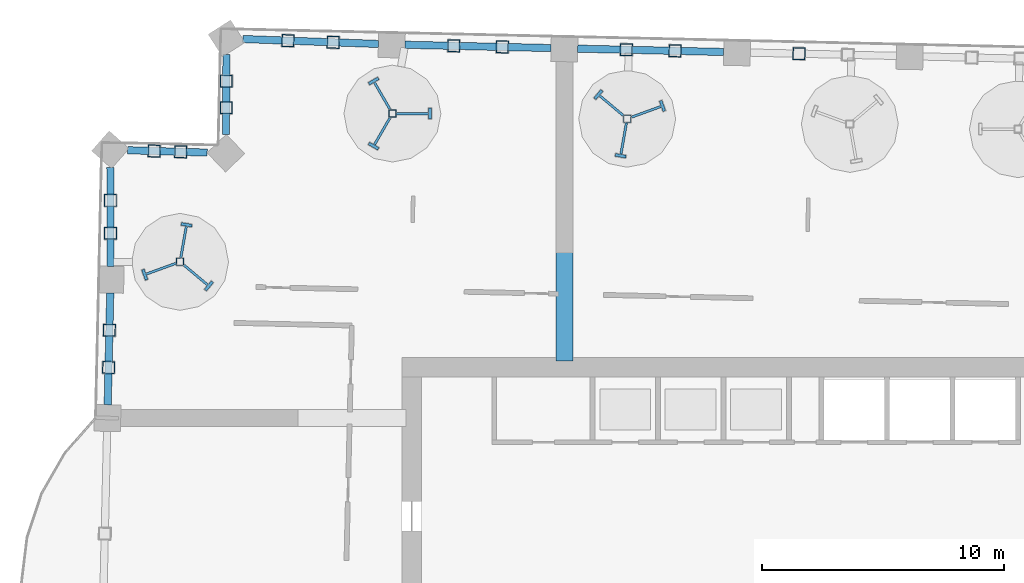
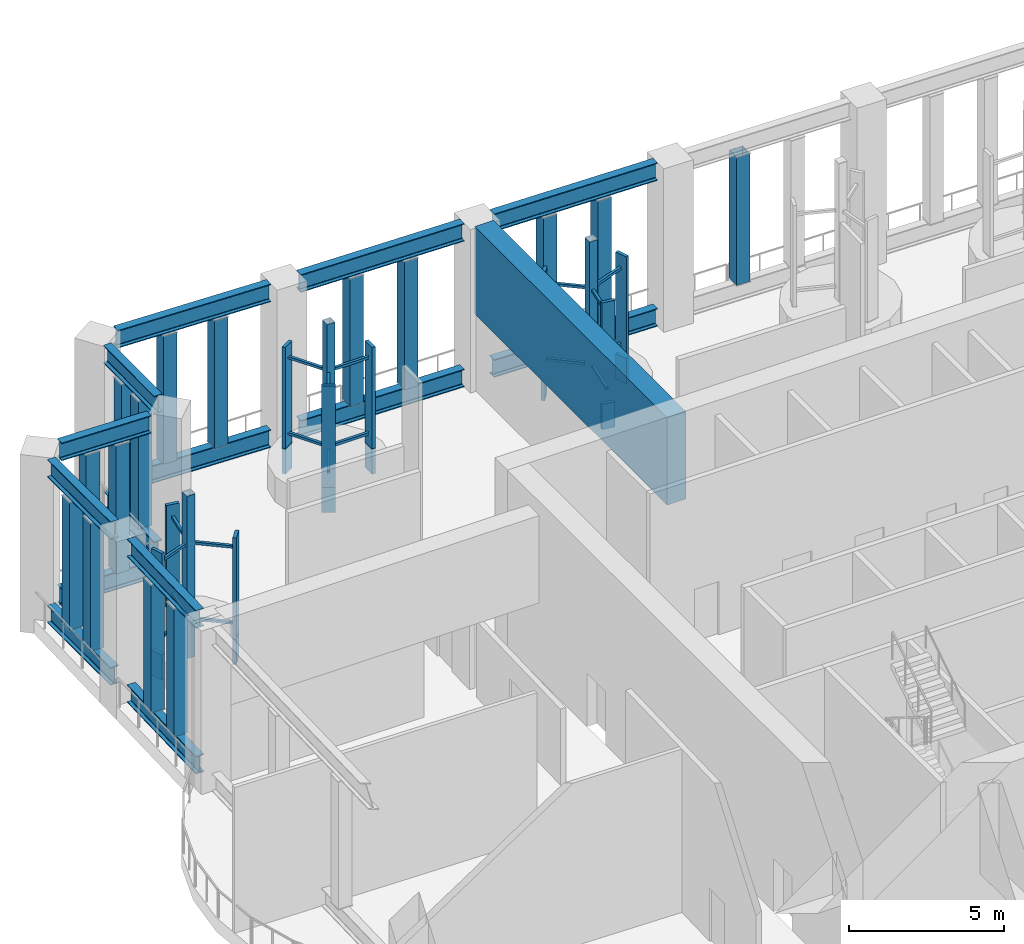
# One storey, part 5 of 33: 68 members, 1 beam.
"""IFC4 building model written with IfcOpenShell, lengths in metres."""

from ifc_helpers import new_model, si_unit, direction, frame, origin, origin_2d, place, context, subcontext, project, spatial, rectangle, hollow_rectangle, i_section, extrude, material, material_profile, profile_set, type_object, element, save


model = new_model("IFC4")

# Units and contexts
model_context = context("Model", 3, precision=1e-05, world=origin(), true_north=direction((0.0, 1.0)))
body_context = subcontext(model_context, "Body", "Model", "MODEL_VIEW")
ifc_project = project(units=[si_unit("LENGTHUNIT", "METRE"), si_unit("AREAUNIT", "SQUARE_METRE"), si_unit("VOLUMEUNIT", "CUBIC_METRE"), si_unit("PLANEANGLEUNIT", "RADIAN"), si_unit("MASSUNIT", "GRAM", prefix="KILO")], contexts=[model_context])

# Site, building, storey
site_placement = place(None, origin())
site = spatial("IfcSite", under=ifc_project, at=site_placement, CompositionType="ELEMENT")
building_placement = place(site_placement, origin())
building = spatial("IfcBuilding", under=site, at=building_placement, Name="Mangrove Gate Tower", CompositionType="ELEMENT")
storey_placement = place(building_placement, frame((0.0, 0.0, 219.5)))
storey = spatial("IfcBuildingStorey", under=building, at=storey_placement, Name="L56", CompositionType="ELEMENT", Elevation=219.5)

# Members
ifc_material_1 = material(Name="Steel S355J2", Category="steel")
ifc_material_profile_1 = material_profile(ifc_material_1, i_section(OverallWidth=0.300048828125, OverallDepth=0.699951171875, WebThickness=0.01708984375, FlangeThickness=0.031982421875, FilletRadius=0.027099609375, at=origin_2d()))
ifc_profile_set_1 = profile_set([ifc_material_profile_1], Name="Steel S355J2")
member_type_1 = type_object("IfcMemberType", Name="Belt truss chord HE 700 B", PredefinedType="CHORD", material=ifc_profile_set_1)
for number, where, z_axis, x_axis, name in (
    (1, (-1.33837890625, 24.19970703125, 0.35009765625), (-0.999741479717, 0.022737056396, 0.0), (-0.022737056396, -0.999741479717, 0.0), "Belt truss bottom chord L56 22"),
    (2, (-1.33837890625, 24.19970703125, 6.10009765625), (-0.999741479717, 0.022737056396, 0.0), (-0.022737056396, -0.999741479717, 0.0), "Belt truss top chord L56 22"),
    (3, (-8.46044921875, 24.361572265625, 0.35009765625), (-0.999744236189, 0.022615530214, 0.0), (-0.022615530214, -0.999744236189, 0.0), "Belt truss bottom chord L56 23"),
    (4, (-8.46044921875, 24.361572265625, 6.10009765625), (-0.999744236189, 0.022615530214, 0.0), (-0.022615530214, -0.999744236189, 0.0), "Belt truss top chord L56 23"),
):
    element("IfcMember", number, at=place(storey_placement, frame(where, z_axis=z_axis, x_axis=x_axis)), inside=storey, type_object=member_type_1, Name=name, PredefinedType="CHORD", context=body_context, shape_type="SweptSolid", body=[
        extrude(i_section(OverallWidth=0.300048828125, OverallDepth=0.699951171875, WebThickness=0.01708984375, FlangeThickness=0.031982421875, FilletRadius=0.027099609375, at=origin_2d()), origin(), (0.0, 0.0, 1.0), 6.023681640625),
    ])
for number, where, z_axis, x_axis, name in (
    (5, (-15.582275390625, 24.5302734375, 0.35009765625), (-0.999333407376, 0.036506724074, 0.0), (-0.036506724074, -0.999333407376, 0.0), "Belt truss bottom chord L56 24"),
    (6, (-15.582275390625, 24.5302734375, 6.10009765625), (-0.999333407376, 0.036506724074, 0.0), (-0.036506724074, -0.999333407376, 0.0), "Belt truss top chord L56 24"),
):
    element("IfcMember", number, at=place(storey_placement, frame(where, z_axis=z_axis, x_axis=x_axis)), inside=storey, type_object=member_type_1, Name=name, PredefinedType="CHORD", context=body_context, shape_type="SweptSolid", body=[
        extrude(i_section(OverallWidth=0.300048828125, OverallDepth=0.699951171875, WebThickness=0.01708984375, FlangeThickness=0.031982421875, FilletRadius=0.027099609375, at=origin_2d()), origin(), (0.0, 0.0, 1.0), 5.597412109375),
    ])
for number, where, z_axis, x_axis, name in (
    (7, (-21.8486328125, 24.103271484375, 0.35009765625), (-0.005526405917, -0.999984729302, 0.0), (0.999984729302, -0.005526405917, 0.0), "Belt truss bottom chord L56 25"),
    (8, (-21.8486328125, 24.103271484375, 6.10009765625), (-0.005526405917, -0.999984729302, 0.0), (0.999984729302, -0.005526405917, 0.0), "Belt truss top chord L56 25"),
):
    element("IfcMember", number, at=place(storey_placement, frame(where, z_axis=z_axis, x_axis=x_axis)), inside=storey, type_object=member_type_1, Name=name, PredefinedType="CHORD", context=body_context, shape_type="SweptSolid", body=[
        extrude(i_section(OverallWidth=0.300048828125, OverallDepth=0.699951171875, WebThickness=0.01708984375, FlangeThickness=0.031982421875, FilletRadius=0.027099609375, at=origin_2d()), origin(), (0.0, 0.0, 1.0), 3.313232421875),
    ])
for number, where, z_axis, x_axis, name in (
    (9, (-22.642822265625, 20.048583984375, 0.35009765625), (-0.999548316967, 0.030052654614, 0.0), (-0.030052654614, -0.999548316967, 0.0), "Belt truss bottom chord L56 26"),
    (10, (-22.642822265625, 20.048583984375, 6.10009765625), (-0.999548316967, 0.030052654614, 0.0), (-0.030052654614, -0.999548316967, 0.0), "Belt truss top chord L56 26"),
):
    element("IfcMember", number, at=place(storey_placement, frame(where, z_axis=z_axis, x_axis=x_axis)), inside=storey, type_object=member_type_1, Name=name, PredefinedType="CHORD", context=body_context, shape_type="SweptSolid", body=[
        extrude(i_section(OverallWidth=0.300048828125, OverallDepth=0.699951171875, WebThickness=0.01708984375, FlangeThickness=0.031982421875, FilletRadius=0.027099609375, at=origin_2d()), origin(), (0.0, 0.0, 1.0), 3.281982421875),
    ])
for number, where, z_axis, x_axis, name in (
    (11, (-26.63623046875, 19.435302734375, 0.35009765625), (0.001317521913, -0.999999132068, 0.0), (0.999999132068, 0.001317521913, 0.0), "Belt truss bottom chord L56 27"),
    (12, (-26.63623046875, 19.435302734375, 6.10009765625), (0.001317521913, -0.999999132068, 0.0), (0.999999132068, 0.001317521913, 0.0), "Belt truss top chord L56 27"),
):
    element("IfcMember", number, at=place(storey_placement, frame(where, z_axis=z_axis, x_axis=x_axis)), inside=storey, type_object=member_type_1, Name=name, PredefinedType="CHORD", context=body_context, shape_type="SweptSolid", body=[
        extrude(i_section(OverallWidth=0.300048828125, OverallDepth=0.699951171875, WebThickness=0.01708984375, FlangeThickness=0.031982421875, FilletRadius=0.027099609375, at=origin_2d()), origin(), (0.0, 0.0, 1.0), 4.07666015625),
    ])
for number, where, z_axis, x_axis, name in (
    (13, (-26.642578125, 14.2587890625, 0.35009765625), (-0.022605956435, -0.999744452715, 0.0), (0.999744452715, -0.022605956435, 0.0), "Belt truss bottom chord L56 28"),
    (14, (-26.642578125, 14.2587890625, 6.10009765625), (-0.022605956435, -0.999744452715, 0.0), (0.999744452715, -0.022605956435, 0.0), "Belt truss top chord L56 28"),
):
    element("IfcMember", number, at=place(storey_placement, frame(where, z_axis=z_axis, x_axis=x_axis)), inside=storey, type_object=member_type_1, Name=name, PredefinedType="CHORD", context=body_context, shape_type="SweptSolid", body=[
        extrude(i_section(OverallWidth=0.300048828125, OverallDepth=0.699951171875, WebThickness=0.01708984375, FlangeThickness=0.031982421875, FilletRadius=0.027099609375, at=origin_2d()), origin(), (0.0, 0.0, 1.0), 4.611572265625),
    ])
ifc_material_2 = material(Name="Steel S355J2H", Category="steel")
ifc_material_profile_2 = material_profile(ifc_material_2, hollow_rectangle(XDim=0.5, YDim=0.5, WallThickness=0.02001953125, at=origin_2d()))
ifc_profile_set_2 = profile_set([ifc_material_profile_2], Name="Steel S355J2H")
member_type_2 = type_object("IfcMemberType", Name="Belt truss post SHS 500x500x20", PredefinedType="POST", material=ifc_profile_set_2)
for number, where, z_axis, x_axis, name in (
    (15, (1.768798828125, 24.12939453125, 0.699951171875), (0.0, 0.0, 1.0), (-0.999744582204, 0.022600229076, 0.0), "Belt truss post L56 21-2"),
    (16, (-3.345703125, 24.245361328125, 0.699951171875), (0.0, 0.0, 1.0), (-0.999741400599, 0.022740534932, 0.0), "Belt truss post L56 22-1"),
    (17, (-5.353271484375, 24.291015625, 0.699951171875), (0.0, 0.0, 1.0), (-0.999741400599, 0.022740534932, 0.0), "Belt truss post L56 22-2"),
    (18, (-10.4677734375, 24.406982421875, 0.699951171875), (0.0, 0.0, 1.0), (-0.999744582204, 0.022600229076, 0.0), "Belt truss post L56 23-1"),
    (19, (-12.47509765625, 24.452392578125, 0.699951171875), (0.0, 0.0, 1.0), (-0.999744582204, 0.022600229076, 0.0), "Belt truss post L56 23-2"),
    (20, (-17.44677734375, 24.598388671875, 0.699951171875), (0.0, 0.0, 1.0), (-0.999333390876, 0.036507175749, 0.0), "Belt truss post L56 24-1"),
    (21, (-19.3115234375, 24.66650390625, 0.699951171875), (0.0, 0.0, 1.0), (-0.999333390876, 0.036507175749, 0.0), "Belt truss post L56 24-2"),
    (22, (-21.854736328125, 22.9990234375, 0.699951171875), (0.0, 0.0, 1.0), (-0.005475175228, -0.999985011116, 0.0), "Belt truss post L56 25-1"),
    (23, (-21.86083984375, 21.89453125, 0.699951171875), (0.0, 0.0, 1.0), (-0.005475175228, -0.999985011116, 0.0), "Belt truss post L56 25-2"),
    (24, (-23.736328125, 20.08154296875, 0.699951171875), (0.0, 0.0, 1.0), (-0.999548143108, 0.030058436564, 0.0), "Belt truss post L56 26-1"),
    (25, (-24.829833984375, 20.1142578125, 0.699951171875), (0.0, 0.0, 1.0), (-0.999548143108, 0.030058436564, 0.0), "Belt truss post L56 26-2"),
    (26, (-26.63427734375, 18.076416015625, 0.699951171875), (0.0, 0.0, 1.0), (0.001294545251, -0.999999162076, 0.0), "Belt truss post L56 27-1"),
    (27, (-26.632568359375, 16.717529296875, 0.699951171875), (0.0, 0.0, 1.0), (0.001294545251, -0.999999162076, 0.0), "Belt truss post L56 27-2"),
    (28, (-26.67724609375, 12.721923828125, 0.699951171875), (0.0, 0.0, 1.0), (-0.022586200211, -0.999744899242, 0.0), "Belt truss post L56 28-1"),
    (29, (-26.7119140625, 11.18505859375, 0.699951171875), (0.0, 0.0, 1.0), (-0.022586200211, -0.999744899242, 0.0), "Belt truss post L56 28-2"),
):
    element("IfcMember", number, at=place(storey_placement, frame(where, z_axis=z_axis, x_axis=x_axis)), inside=storey, type_object=member_type_2, Name=name, PredefinedType="POST", context=body_context, shape_type="SweptSolid", body=[
        extrude(hollow_rectangle(XDim=0.5, YDim=0.5, WallThickness=0.02001953125, at=origin_2d()), origin(), (0.0, 0.0, 1.0), 5.050048828125),
    ])

# Beam
ifc_material_3 = material(Name="Concrete C60/75", Category="concrete")
ifc_material_profile_3 = material_profile(ifc_material_3, rectangle(XDim=0.699951171875, YDim=3.449951171875, at=origin_2d()))
ifc_profile_set_3 = profile_set([ifc_material_profile_3], Name="Concrete C60/75")
beam_type = type_object("IfcBeamType", Name="Outrigger coupling beam RC 700x3450 C60/75", PredefinedType="BEAM", material=ifc_profile_set_3)
beam_placement = place(storey_placement, frame((-7.910400390625, 11.449951171875, 4.72509765625), z_axis=(0.0, 1.0, 0.0), x_axis=(-1.0, 0.0, 0.0)))
element("IfcBeam", 30, at=beam_placement, inside=storey, type_object=beam_type, Name="Outrigger coupling beam L56 OR7", PredefinedType="BEAM", context=body_context, shape_type="SweptSolid", body=[
    extrude(rectangle(XDim=0.699951171875, YDim=3.449951171875, at=origin_2d()), origin(), (0.0, 0.0, 1.0), 12.448974609375),
])

# Members
ifc_material_4 = material(Name="Steel S355J2H", Category="steel")
ifc_material_profile_4 = material_profile(ifc_material_4, rectangle(XDim=0.449951171875, YDim=0.1201171875, at=origin_2d()))
ifc_profile_set_4 = profile_set([ifc_material_profile_4], Name="Steel S355J2H")
member_type_3 = type_object("IfcMemberType", Name="Turbine fin seat 450x120", PredefinedType="USERDEFINED", material=ifc_profile_set_4)
for number, where, z_axis, x_axis, name in (
    (31, (-13.452880859375, 21.658935546875, 0.0), (0.0, 0.0, 1.0), (0.0, 1.0, 0.0), "TURBINE FIN SEAT L56 1.1"),
    (32, (-15.778076171875, 23.0009765625, 0.0), (0.0, 0.0, 1.0), (-0.866025403784, -0.5, 0.0), "TURBINE FIN SEAT L56 1.2"),
    (33, (-15.778076171875, 20.31689453125, 0.0), (0.0, 0.0, 1.0), (0.866025403784, -0.5, 0.0), "TURBINE FIN SEAT L56 1.3"),
    (34, (-3.863037109375, 21.97509765625, 0.0), (0.0, 0.0, 1.0), (-0.342020143326, 0.939692620786, 0.0), "TURBINE FIN SEAT L56 2.1"),
    (35, (-6.507080078125, 22.44091796875, 0.0), (0.0, 0.0, 1.0), (-0.642787609687, -0.766044443119, 0.0), "TURBINE FIN SEAT L56 2.2"),
    (36, (-5.589111328125, 19.9189453125, 0.0), (0.0, 0.0, 1.0), (0.984807753012, -0.173648177667, 0.0), "TURBINE FIN SEAT L56 2.3"),
    (37, (-23.492919921875, 17.070068359375, 0.0), (0.0, 0.0, 1.0), (-0.984807753012, 0.173648177667, 0.0), "TURBINE FIN SEAT L56 11.1"),
    (38, (-25.218994140625, 15.013916015625, 0.0), (0.0, 0.0, 1.0), (0.342020143326, -0.939692620786, 0.0), "TURBINE FIN SEAT L56 11.2"),
    (39, (-22.574951171875, 14.548095703125, 0.0), (0.0, 0.0, 1.0), (0.642787609687, 0.766044443119, 0.0), "TURBINE FIN SEAT L56 11.3"),
):
    element("IfcMember", number, at=place(storey_placement, frame(where, z_axis=z_axis, x_axis=x_axis)), inside=storey, type_object=member_type_3, Name=name, ObjectType="TURBINE FIN SEAT", PredefinedType="USERDEFINED", context=body_context, shape_type="SweptSolid", body=[
        extrude(rectangle(XDim=0.449951171875, YDim=0.1201171875, at=origin_2d()), origin(), (0.0, 0.0, 1.0), 1.0),
    ])
ifc_material_5 = material(Name="Steel S355J2H", Category="steel")
ifc_material_profile_5 = material_profile(ifc_material_5, hollow_rectangle(XDim=0.10009765625, YDim=0.10009765625, WallThickness=0.008056640625, at=origin_2d()))
ifc_profile_set_5 = profile_set([ifc_material_profile_5], Name="Steel S355J2H")
member_type_4 = type_object("IfcMemberType", Name="Turbine hub arm RHS 100x100x8", PredefinedType="STRUT", material=ifc_profile_set_5)
for number, where, z_axis, x_axis, name in (
    (40, (-14.844970703125, 21.658935546875, 1.5), (1.0, 0.0, 0.0), (0.0, 1.0, 0.0), "TURBINE ARM L56 1.1.1"),
    (41, (-14.844970703125, 21.658935546875, 4.5), (1.0, 0.0, 0.0), (0.0, 1.0, 0.0), "TURBINE ARM L56 1.1.2"),
):
    element("IfcMember", number, at=place(storey_placement, frame(where, z_axis=z_axis, x_axis=x_axis)), inside=storey, type_object=member_type_4, Name=name, PredefinedType="STRUT", context=body_context, shape_type="SweptSolid", body=[
        extrude(hollow_rectangle(XDim=0.10009765625, YDim=0.10009765625, WallThickness=0.008056640625, at=origin_2d()), origin(), (0.0, 0.0, 1.0), 1.323974609375),
    ])
for number, where, z_axis, x_axis, name in (
    (42, (-15.10791015625, 21.842041015625, 1.5), (-0.500581710684, 0.865689292373, 0.0), (-0.865689292373, -0.500581710684, 0.0), "TURBINE ARM L56 1.2.1"),
    (43, (-15.10791015625, 21.842041015625, 4.5), (-0.500581710684, 0.865689292373, 0.0), (-0.865689292373, -0.500581710684, 0.0), "TURBINE ARM L56 1.2.2"),
):
    element("IfcMember", number, at=place(storey_placement, frame(where, z_axis=z_axis, x_axis=x_axis)), inside=storey, type_object=member_type_4, Name=name, PredefinedType="STRUT", context=body_context, shape_type="SweptSolid", body=[
        extrude(hollow_rectangle(XDim=0.10009765625, YDim=0.10009765625, WallThickness=0.008056640625, at=origin_2d()), origin(), (0.0, 0.0, 1.0), 1.2705078125),
    ])
for number, where, z_axis, x_axis, name in (
    (44, (-15.10791015625, 21.47607421875, 1.5), (-0.500498449207, -0.865737432679, 0.0), (0.865737432679, -0.500498449207, 0.0), "TURBINE ARM L56 1.3.1"),
    (45, (-15.10791015625, 21.47607421875, 4.5), (-0.500498449207, -0.865737432679, 0.0), (0.865737432679, -0.500498449207, 0.0), "TURBINE ARM L56 1.3.2"),
):
    element("IfcMember", number, at=place(storey_placement, frame(where, z_axis=z_axis, x_axis=x_axis)), inside=storey, type_object=member_type_4, Name=name, PredefinedType="STRUT", context=body_context, shape_type="SweptSolid", body=[
        extrude(hollow_rectangle(XDim=0.10009765625, YDim=0.10009765625, WallThickness=0.008056640625, at=origin_2d()), origin(), (0.0, 0.0, 1.0), 1.270751953125),
    ])
for number, where, z_axis, x_axis, name in (
    (46, (-5.14404296875, 21.509033203125, 1.5), (0.939716344909, 0.341954954797, 0.0), (-0.341954954797, 0.939716344909, 0.0), "TURBINE ARM L56 2.1.1"),
    (47, (-5.14404296875, 21.509033203125, 4.5), (0.939716344909, 0.341954954797, 0.0), (-0.341954954797, 0.939716344909, 0.0), "TURBINE ARM L56 2.1.2"),
):
    element("IfcMember", number, at=place(storey_placement, frame(where, z_axis=z_axis, x_axis=x_axis)), inside=storey, type_object=member_type_4, Name=name, PredefinedType="STRUT", context=body_context, shape_type="SweptSolid", body=[
        extrude(hollow_rectangle(XDim=0.10009765625, YDim=0.10009765625, WallThickness=0.008056640625, at=origin_2d()), origin(), (0.0, 0.0, 1.0), 1.295166015625),
    ])
for number, where, z_axis, x_axis, name in (
    (48, (-5.48291015625, 21.58203125, 1.5), (-0.765977636765, 0.642867217998, 0.0), (-0.642867217998, -0.765977636765, 0.0), "TURBINE ARM L56 2.2.1"),
    (49, (-5.48291015625, 21.58203125, 4.5), (-0.765977636765, 0.642867217998, 0.0), (-0.642867217998, -0.765977636765, 0.0), "TURBINE ARM L56 2.2.2"),
):
    element("IfcMember", number, at=place(storey_placement, frame(where, z_axis=z_axis, x_axis=x_axis)), inside=storey, type_object=member_type_4, Name=name, PredefinedType="STRUT", context=body_context, shape_type="SweptSolid", body=[
        extrude(hollow_rectangle(XDim=0.10009765625, YDim=0.10009765625, WallThickness=0.008056640625, at=origin_2d()), origin(), (0.0, 0.0, 1.0), 1.269287109375),
    ])
for number, where, z_axis, x_axis, name in (
    (50, (-5.35009765625, 21.278076171875, 1.5), (-0.172904012343, -0.984938679571, 0.0), (0.984938679571, -0.172904012343, 0.0), "TURBINE ARM L56 2.3.1"),
    (51, (-5.35009765625, 21.278076171875, 4.5), (-0.172904012343, -0.984938679571, 0.0), (0.984938679571, -0.172904012343, 0.0), "TURBINE ARM L56 2.3.2"),
    (52, (-23.73193359375, 15.7109375, 1.5), (0.173084557887, 0.984906968105, 0.0), (-0.984906968105, 0.173084557887, 0.0), "TURBINE ARM L56 11.1.1"),
    (53, (-23.73193359375, 15.7109375, 4.5), (0.173084557887, 0.984906968105, 0.0), (-0.984906968105, 0.173084557887, 0.0), "TURBINE ARM L56 11.1.2"),
):
    element("IfcMember", number, at=place(storey_placement, frame(where, z_axis=z_axis, x_axis=x_axis)), inside=storey, type_object=member_type_4, Name=name, PredefinedType="STRUT", context=body_context, shape_type="SweptSolid", body=[
        extrude(hollow_rectangle(XDim=0.10009765625, YDim=0.10009765625, WallThickness=0.008056640625, at=origin_2d()), origin(), (0.0, 0.0, 1.0), 1.311767578125),
    ])
for number, where, z_axis, x_axis, name in (
    (54, (-23.93798828125, 15.47998046875, 1.5), (-0.939716344909, -0.341954954797, 0.0), (0.341954954797, -0.939716344909, 0.0), "TURBINE ARM L56 11.2.1"),
    (55, (-23.93798828125, 15.47998046875, 4.5), (-0.939716344909, -0.341954954797, 0.0), (0.341954954797, -0.939716344909, 0.0), "TURBINE ARM L56 11.2.2"),
):
    element("IfcMember", number, at=place(storey_placement, frame(where, z_axis=z_axis, x_axis=x_axis)), inside=storey, type_object=member_type_4, Name=name, PredefinedType="STRUT", context=body_context, shape_type="SweptSolid", body=[
        extrude(hollow_rectangle(XDim=0.10009765625, YDim=0.10009765625, WallThickness=0.008056640625, at=origin_2d()), origin(), (0.0, 0.0, 1.0), 1.295166015625),
    ])
for number, where, z_axis, x_axis, name in (
    (56, (-23.59912109375, 15.406982421875, 1.5), (0.765977636765, -0.642867217998, 0.0), (0.642867217998, 0.765977636765, 0.0), "TURBINE ARM L56 11.3.1"),
    (57, (-23.59912109375, 15.406982421875, 4.5), (0.765977636765, -0.642867217998, 0.0), (0.642867217998, 0.765977636765, 0.0), "TURBINE ARM L56 11.3.2"),
):
    element("IfcMember", number, at=place(storey_placement, frame(where, z_axis=z_axis, x_axis=x_axis)), inside=storey, type_object=member_type_4, Name=name, PredefinedType="STRUT", context=body_context, shape_type="SweptSolid", body=[
        extrude(hollow_rectangle(XDim=0.10009765625, YDim=0.10009765625, WallThickness=0.008056640625, at=origin_2d()), origin(), (0.0, 0.0, 1.0), 1.269287109375),
    ])
ifc_material_6 = material(Name="Steel S355J2H", Category="steel")
ifc_material_profile_6 = material_profile(ifc_material_6, hollow_rectangle(XDim=0.300048828125, YDim=0.300048828125, WallThickness=0.011962890625, at=origin_2d()))
ifc_profile_set_6 = profile_set([ifc_material_profile_6], Name="Steel S355J2H")
member_type_5 = type_object("IfcMemberType", Name="Turbine mast RHS 300x300x12", PredefinedType="USERDEFINED", material=ifc_profile_set_6)
for number, where, z_axis, x_axis, name in (
    (58, (-15.0029296875, 21.658935546875, 0.02001953125), (0.0, 0.0, 1.0), (1.0, 0.0, 0.0), "TURBINE MAST L56 1"),
    (59, (-5.320068359375, 21.445068359375, 0.02001953125), (0.0, 0.0, 1.0), (1.0, 0.0, 0.0), "TURBINE MAST L56 2"),
    (60, (-23.761962890625, 15.5439453125, 0.02001953125), (0.0, 0.0, 1.0), (1.0, 0.0, 0.0), "TURBINE MAST L56 11"),
):
    element("IfcMember", number, at=place(storey_placement, frame(where, z_axis=z_axis, x_axis=x_axis)), inside=storey, type_object=member_type_5, Name=name, ObjectType="TURBINE MAST", PredefinedType="USERDEFINED", context=body_context, shape_type="SweptSolid", body=[
        extrude(hollow_rectangle(XDim=0.300048828125, YDim=0.300048828125, WallThickness=0.011962890625, at=origin_2d()), origin(), (0.0, 0.0, 1.0), 6.409912109375),
    ])
ifc_material_7 = material(Name="Aluminium alloy 6063-T6", Category="aluminium")
ifc_material_profile_7 = material_profile(ifc_material_7, rectangle(XDim=0.449951171875, YDim=0.1201171875, at=origin_2d()))
ifc_profile_set_7 = profile_set([ifc_material_profile_7], Name="Aluminium alloy 6063-T6")
member_type_6 = type_object("IfcMemberType", Name="Turbine rotor fin 450x120", PredefinedType="PLATE", material=ifc_profile_set_7)
for number, where, z_axis, x_axis, name in (
    (61, (-13.452880859375, 21.658935546875, 1.0), (0.0, 0.0, 1.0), (0.0, 1.0, 0.0), "TURBINE FIN L56 1.1"),
    (62, (-15.778076171875, 23.0009765625, 1.0), (0.0, 0.0, 1.0), (-0.866025403784, -0.5, 0.0), "TURBINE FIN L56 1.2"),
    (63, (-15.778076171875, 20.31689453125, 1.0), (0.0, 0.0, 1.0), (0.866025403784, -0.5, 0.0), "TURBINE FIN L56 1.3"),
    (64, (-3.863037109375, 21.97509765625, 1.0), (0.0, 0.0, 1.0), (-0.342020143326, 0.939692620786, 0.0), "TURBINE FIN L56 2.1"),
    (65, (-6.507080078125, 22.44091796875, 1.0), (0.0, 0.0, 1.0), (-0.642787609687, -0.766044443119, 0.0), "TURBINE FIN L56 2.2"),
    (66, (-5.589111328125, 19.9189453125, 1.0), (0.0, 0.0, 1.0), (0.984807753012, -0.173648177667, 0.0), "TURBINE FIN L56 2.3"),
    (67, (-23.492919921875, 17.070068359375, 1.0), (0.0, 0.0, 1.0), (-0.984807753012, 0.173648177667, 0.0), "TURBINE FIN L56 11.1"),
    (68, (-25.218994140625, 15.013916015625, 1.0), (0.0, 0.0, 1.0), (0.342020143326, -0.939692620786, 0.0), "TURBINE FIN L56 11.2"),
    (69, (-22.574951171875, 14.548095703125, 1.0), (0.0, 0.0, 1.0), (0.642787609687, 0.766044443119, 0.0), "TURBINE FIN L56 11.3"),
):
    element("IfcMember", number, at=place(storey_placement, frame(where, z_axis=z_axis, x_axis=x_axis)), inside=storey, type_object=member_type_6, Name=name, PredefinedType="PLATE", context=body_context, shape_type="SweptSolid", body=[
        extrude(rectangle(XDim=0.449951171875, YDim=0.1201171875, at=origin_2d()), origin(), (0.0, 0.0, 1.0), 4.0),
    ])

save(model, "model.ifc")
